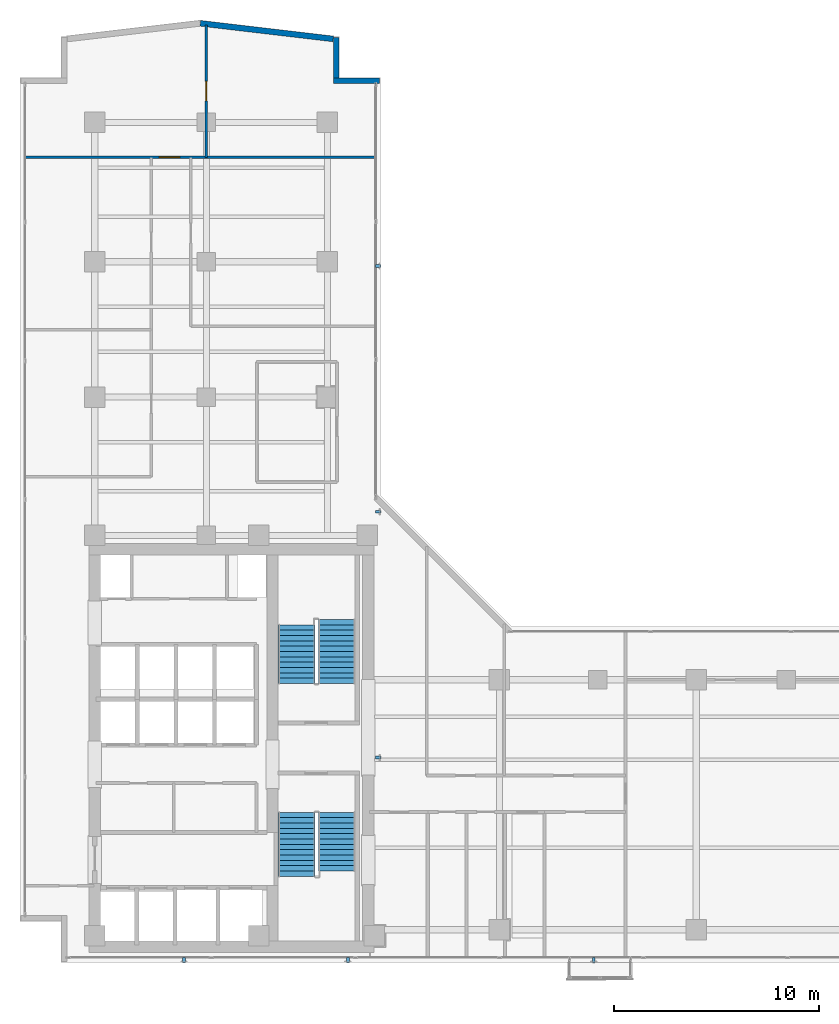
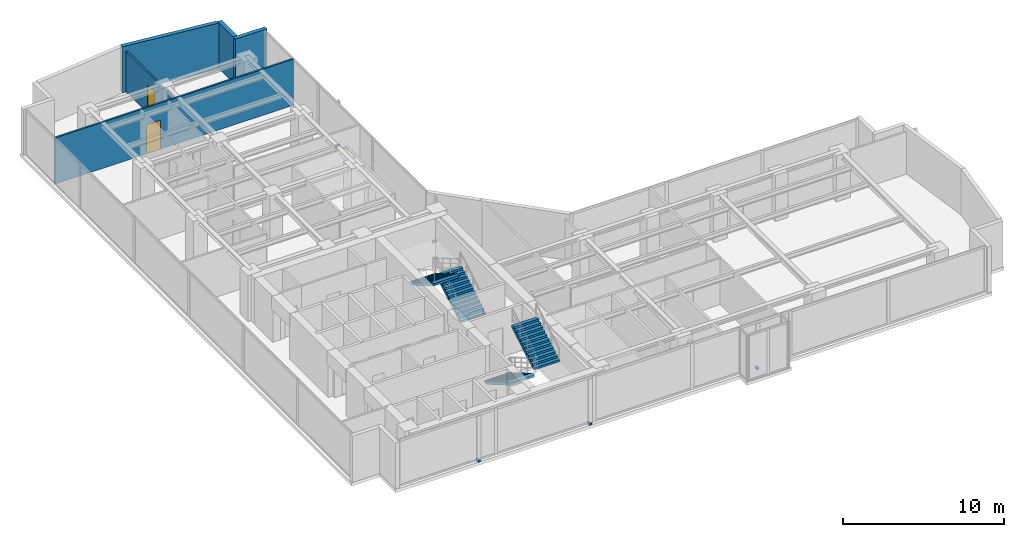
# One storey, part 19 of 22: 6 discrete accessories, 5 walls, 4 stair flights, 2 doors, 2 openings, 2 elements without a shape of their own.
"""IFC4 building model written with IfcOpenShell, lengths in metres."""

from ifc_helpers import new_model, si_unit, direction, frame, frame_2d, origin, origin_with_axes, origin_2d, place, context, subcontext, project, spatial, polyline, rectangle, outline, extrude, source, transform, mapped, material, layer, layer_set, type_object, element, fill, aggregate, save


model = new_model("IFC4")

# Units and contexts
model_context = context("Model", 3, precision=1e-05, world=origin(), true_north=direction((0.0, 1.0)))
body_context = subcontext(model_context, "Body", "Model", "MODEL_VIEW")
ifc_project = project(units=[si_unit("LENGTHUNIT", "METRE"), si_unit("AREAUNIT", "SQUARE_METRE"), si_unit("VOLUMEUNIT", "CUBIC_METRE"), si_unit("PLANEANGLEUNIT", "RADIAN"), si_unit("MASSUNIT", "GRAM", prefix="KILO")], contexts=[model_context])

# Site, building, storey
site_placement = place(None, origin())
site = spatial("IfcSite", under=ifc_project, at=site_placement, CompositionType="ELEMENT")
building_placement = place(site_placement, origin())
building = spatial("IfcBuilding", under=site, at=building_placement, Name="Kolvaren Waterfront Exchange", CompositionType="ELEMENT")
storey_placement = place(building_placement, frame((0.0, 0.0, 219.699951171875)))
storey = spatial("IfcBuildingStorey", under=building, at=storey_placement, Name="L56", CompositionType="ELEMENT", Elevation=219.699951171875)

# Walls
ifc_material_1 = material(Name="Precast concrete C40/50", Category="concrete")
ifc_layer_1 = layer(ifc_material_1, 0.280029296875, Name="Precast concrete C40/50")
ifc_layer_set_1 = layer_set([ifc_layer_1], Name="Precast concrete C40/50")
wall_type_1 = type_object("IfcWallType", Name="ARC-EXT-TERR-280", PredefinedType="SOLIDWALL", material=ifc_layer_set_1)
wall_1_placement = place(storey_placement, frame((19.10009765625, 46.639892578125, 0.0), z_axis=(0.0, 0.0, 1.0), x_axis=(1.0, 0.0, 0.0)))
element("IfcWall", 1, at=wall_1_placement, inside=storey, type_object=wall_type_1, Name="L56 notched corner spandrel pier NNE-A", PredefinedType="SOLIDWALL", context=body_context, shape_type="SweptSolid", body=[
    extrude(rectangle(XDim=2.239990234375, YDim=0.280029296875, at=frame_2d((1.1201171875, 0.0))), origin(), (0.0, 0.0, 1.0), 3.5),
])
wall_2_placement = place(storey_placement, frame((19.239990234375, 46.780029296875, 0.0), z_axis=(0.0, 0.0, 1.0), x_axis=(0.0, 1.0, 0.0)))
element("IfcWall", 2, at=wall_2_placement, inside=storey, type_object=wall_type_1, Name="L56 notched corner spandrel pier NNE-B", PredefinedType="SOLIDWALL", context=body_context, shape_type="SweptSolid", body=[
    extrude(rectangle(XDim=1.9599609375, YDim=0.280029296875, at=frame_2d((0.97998046875, 0.0))), origin(), (0.0, 0.0, 1.0), 3.5),
])
wall_3_placement = place(storey_placement, frame((19.08349609375, 48.676025390625, 0.0), z_axis=(0.0, 0.0, 1.0), x_axis=(-0.993149072278, 0.11685426921, 0.0)))
element("IfcWall", 3, at=wall_3_placement, inside=storey, type_object=wall_type_1, Name="L56 north prow faceted facade wall 1", PredefinedType="SOLIDWALL", context=body_context, shape_type="SweptSolid", body=[
    extrude(rectangle(XDim=6.52685546875, YDim=0.280029296875, at=frame_2d((3.263427734375, 0.0))), origin(), (0.0, 0.0, 1.0), 3.5),
])

# Wall, opening, door
ifc_material_2 = material(Name="Acoustic gypsum steel stud", Category="steel")
ifc_layer_2 = layer(ifc_material_2, 0.125, Name="Acoustic gypsum steel stud")
ifc_layer_set_2 = layer_set([ifc_layer_2], Name="Acoustic gypsum steel stud")
wall_type_2 = type_object("IfcWallType", Name="ARC-PART-125", PredefinedType="PARTITIONING", material=ifc_layer_set_2)
wall_4_placement = place(storey_placement, frame((4.0400390625, 42.89990234375, 0.0), z_axis=(0.0, 0.0, 1.0), x_axis=(1.0, 0.0, 0.0)))
wall_4 = element("IfcWall", 4, at=wall_4_placement, inside=storey, type_object=wall_type_2, Name="L56 interior wall PW-L56-NTIP-S", PredefinedType="PARTITIONING", context=body_context, shape_type="SweptSolid", body=[
    extrude(rectangle(XDim=17.119873046875, YDim=0.125, at=frame_2d((8.56005859375, 0.0))), origin(), (0.0, 0.0, 1.0), 3.5),
])
opening_1_placement = place(wall_4_placement, frame((6.56005859375, 0.0, 0.0)))
opening_1 = element("IfcOpeningElement", 5, at=opening_1_placement, cuts=wall_4, Name="Opening D03", PredefinedType="OPENING", context=body_context, shape_type="SweptSolid", body=[
    extrude(rectangle(XDim=1.0, YDim=2.199951171875, at=frame_2d((0.5, 1.10009765625))), frame((0.0, 0.072509765625, 0.0), z_axis=(0.0, -1.0, 0.0), x_axis=(1.0, 0.0, 0.0)), (0.0, 0.0, 1.0), 0.14501953125),
])
ifc_material_3 = material(Name="Oak veneer accessible timber", Category="wood")
door_type_1 = type_object("IfcDoorType", Name="ARC-DR-1000", OperationType="NOTDEFINED", PredefinedType="DOOR", material=ifc_material_3)
door_1_placement = place(opening_1_placement, origin())
door_1 = element("IfcDoor", 6, at=door_1_placement, inside=storey, type_object=door_type_1, Name="L56 door DR-L56-NTIPW-D (D03)", OperationType="SINGLE_SWING_LEFT", OverallHeight=2.199951171875, OverallWidth=1.0, PredefinedType="DOOR", context=body_context, shape_type="SweptSolid", body=[
    extrude(rectangle(XDim=1.0, YDim=2.199951171875, at=frame_2d((0.5, 1.10009765625))), frame((0.0, 0.02490234375, 0.0), z_axis=(0.0, -1.0, 0.0), x_axis=(1.0, 0.0, 0.0)), (0.0, 0.0, 1.0), 0.050048828125),
])
fill(opening_1, door_1)

wall_5_placement = place(storey_placement, frame((12.89990234375, 42.89990234375, 0.0), z_axis=(0.0, 0.0, 1.0), x_axis=(0.0, 1.0, 0.0)))
wall_5 = element("IfcWall", 7, at=wall_5_placement, inside=storey, type_object=wall_type_2, Name="L56 interior wall PW-L56-NTIP-DIV", PredefinedType="PARTITIONING", context=body_context, shape_type="SweptSolid", body=[
    extrude(rectangle(XDim=6.460205078125, YDim=0.125, at=frame_2d((3.22998046875, 0.0))), origin(), (0.0, 0.0, 1.0), 3.10009765625),
])
opening_2_placement = place(wall_5_placement, frame((2.75, 0.0, 0.0)))
opening_2 = element("IfcOpeningElement", 8, at=opening_2_placement, cuts=wall_5, Name="Opening D02", PredefinedType="OPENING", context=body_context, shape_type="SweptSolid", body=[
    extrude(rectangle(XDim=0.949951171875, YDim=2.14990234375, at=frame_2d((0.47509765625, 1.074951171875))), frame((0.0, 0.072509765625, 0.0), z_axis=(0.0, -1.0, 0.0), x_axis=(1.0, 0.0, 0.0)), (0.0, 0.0, 1.0), 0.14501953125),
])
ifc_material_4 = material(Name="Oak veneer acoustic timber", Category="wood")
door_type_2 = type_object("IfcDoorType", Name="ARC-DR-950", OperationType="NOTDEFINED", PredefinedType="DOOR", material=ifc_material_4)
door_2_placement = place(opening_2_placement, origin())
door_2 = element("IfcDoor", 9, at=door_2_placement, inside=storey, type_object=door_type_2, Name="L56 door DR-L56-NTIPE-D (D02)", OperationType="SINGLE_SWING_RIGHT", OverallHeight=2.14990234375, OverallWidth=0.949951171875, PredefinedType="DOOR", context=body_context, shape_type="SweptSolid", body=[
    extrude(rectangle(XDim=0.949951171875, YDim=2.14990234375, at=frame_2d((0.47509765625, 1.074951171875))), frame((0.0, 0.02490234375, 0.0), z_axis=(0.0, -1.0, 0.0), x_axis=(1.0, 0.0, 0.0)), (0.0, 0.0, 1.0), 0.050048828125),
])
fill(opening_2, door_2)

# Stair, stair flights
ifc_material_5 = material(Name="Concrete C40/50", Category="concrete")
stair_type = type_object("IfcStairType", Name="ARC-STAIR-3800", PredefinedType="HALF_TURN_STAIR", material=ifc_material_5)
stair_1_placement = place(storey_placement, origin())
stair_1 = element("IfcStair", 10, at=stair_1_placement, inside=storey, type_object=stair_type, Name="L56 Smoke-proof exit stair ST1", PredefinedType="HALF_TURN_STAIR")
stair_flight_type = type_object("IfcStairFlightType", Name="ARC-FLIGHT-3800", PredefinedType="STRAIGHT", material=ifc_material_5)
stair_flight_1_placement = place(storey_placement, frame((17.300048828125, 10.929931640625, 0.0), z_axis=(0.0, 0.0, 1.0), x_axis=(0.0, -1.0, 0.0)))
stair_flight_1 = element("IfcStairFlight", 11, at=stair_flight_1_placement, type_object=stair_flight_type, Name="ST1 flight 1", NumberOfRisers=13, NumberOfTreads=12, PredefinedType="STRAIGHT", RiserHeight=0.152, TreadLength=0.26, context=body_context, shape_type="SweptSolid", body=[
    extrude(outline(polyline([(0.0, 0.0), (0.0, 0.152099609375), (0.260009765625, 0.152099609375), (0.260009765625, 0.303955078125), (0.52001953125, 0.303955078125), (0.52001953125, 0.4560546875), (0.780029296875, 0.4560546875), (0.780029296875, 0.60791015625), (1.0400390625, 0.60791015625), (1.0400390625, 0.760009765625), (1.300048828125, 0.760009765625), (1.300048828125, 0.912109375), (1.56005859375, 0.912109375), (1.56005859375, 1.06396484375), (1.820068359375, 1.06396484375), (1.820068359375, 1.216064453125), (2.080078125, 1.216064453125), (2.080078125, 1.367919921875), (2.340087890625, 1.367919921875), (2.340087890625, 1.52001953125), (2.60009765625, 1.52001953125), (2.60009765625, 1.672119140625), (2.860107421875, 1.672119140625), (2.860107421875, 1.823974609375), (3.1201171875, 1.823974609375), (3.1201171875, 1.97607421875), (3.1201171875, 1.650390625), (0.297119140625, 0.0), (0.0, 0.0)])), frame((0.0, 0.89990234375, 0.0), z_axis=(0.0, -1.0, 0.0), x_axis=(1.0, 0.0, 0.0)), (0.0, 0.0, 1.0), 1.800048828125),
])
stair_flight_2_placement = place(storey_placement, frame((19.260009765625, 8.070068359375, 1.97607421875), z_axis=(0.0, 0.0, 1.0), x_axis=(0.0, 1.0, 0.0)))
stair_flight_2 = element("IfcStairFlight", 12, at=stair_flight_2_placement, type_object=stair_flight_type, Name="ST1 flight 2", NumberOfRisers=12, NumberOfTreads=11, PredefinedType="STRAIGHT", RiserHeight=0.152, TreadLength=0.26, context=body_context, shape_type="SweptSolid", body=[
    extrude(outline(polyline([(0.0, 0.0), (0.0, 0.152099609375), (0.260009765625, 0.152099609375), (0.260009765625, 0.303955078125), (0.52001953125, 0.303955078125), (0.52001953125, 0.4560546875), (0.780029296875, 0.4560546875), (0.780029296875, 0.60791015625), (1.0400390625, 0.60791015625), (1.0400390625, 0.760009765625), (1.300048828125, 0.760009765625), (1.300048828125, 0.912109375), (1.56005859375, 0.912109375), (1.56005859375, 1.06396484375), (1.820068359375, 1.06396484375), (1.820068359375, 1.216064453125), (2.080078125, 1.216064453125), (2.080078125, 1.367919921875), (2.340087890625, 1.367919921875), (2.340087890625, 1.52001953125), (2.60009765625, 1.52001953125), (2.60009765625, 1.672119140625), (2.860107421875, 1.672119140625), (2.860107421875, 1.823974609375), (2.860107421875, 1.498291015625), (0.297119140625, 0.0), (0.0, 0.0)])), frame((0.0, 0.89990234375, 0.0), z_axis=(0.0, -1.0, 0.0), x_axis=(1.0, 0.0, 0.0)), (0.0, 0.0, 1.0), 1.800048828125),
])
aggregate(stair_1, [stair_flight_1, stair_flight_2])

stair_2_placement = place(storey_placement, origin())
stair_2 = element("IfcStair", 13, at=stair_2_placement, inside=storey, type_object=stair_type, Name="L56 Smoke-proof exit stair ST2", PredefinedType="HALF_TURN_STAIR")
stair_flight_3_placement = place(storey_placement, frame((19.260009765625, 17.219970703125, 0.0), z_axis=(0.0, 0.0, 1.0), x_axis=(0.0, 1.0, 0.0)))
stair_flight_3 = element("IfcStairFlight", 14, at=stair_flight_3_placement, type_object=stair_flight_type, Name="ST2 flight 1", NumberOfRisers=13, NumberOfTreads=12, PredefinedType="STRAIGHT", RiserHeight=0.152, TreadLength=0.26, context=body_context, shape_type="SweptSolid", body=[
    extrude(outline(polyline([(0.0, 0.0), (0.0, 0.152099609375), (0.260009765625, 0.152099609375), (0.260009765625, 0.303955078125), (0.52001953125, 0.303955078125), (0.52001953125, 0.4560546875), (0.780029296875, 0.4560546875), (0.780029296875, 0.60791015625), (1.0400390625, 0.60791015625), (1.0400390625, 0.760009765625), (1.300048828125, 0.760009765625), (1.300048828125, 0.912109375), (1.56005859375, 0.912109375), (1.56005859375, 1.06396484375), (1.820068359375, 1.06396484375), (1.820068359375, 1.216064453125), (2.080078125, 1.216064453125), (2.080078125, 1.367919921875), (2.340087890625, 1.367919921875), (2.340087890625, 1.52001953125), (2.60009765625, 1.52001953125), (2.60009765625, 1.672119140625), (2.860107421875, 1.672119140625), (2.860107421875, 1.823974609375), (3.1201171875, 1.823974609375), (3.1201171875, 1.97607421875), (3.1201171875, 1.650390625), (0.297119140625, 0.0), (0.0, 0.0)])), frame((0.0, 0.89990234375, 0.0), z_axis=(0.0, -1.0, 0.0), x_axis=(1.0, 0.0, 0.0)), (0.0, 0.0, 1.0), 1.800048828125),
])
stair_flight_4_placement = place(storey_placement, frame((17.300048828125, 20.080078125, 1.97607421875), z_axis=(0.0, 0.0, 1.0), x_axis=(0.0, -1.0, 0.0)))
stair_flight_4 = element("IfcStairFlight", 15, at=stair_flight_4_placement, type_object=stair_flight_type, Name="ST2 flight 2", NumberOfRisers=12, NumberOfTreads=11, PredefinedType="STRAIGHT", RiserHeight=0.152, TreadLength=0.26, context=body_context, shape_type="SweptSolid", body=[
    extrude(outline(polyline([(0.0, 0.0), (0.0, 0.152099609375), (0.260009765625, 0.152099609375), (0.260009765625, 0.303955078125), (0.52001953125, 0.303955078125), (0.52001953125, 0.4560546875), (0.780029296875, 0.4560546875), (0.780029296875, 0.60791015625), (1.0400390625, 0.60791015625), (1.0400390625, 0.760009765625), (1.300048828125, 0.760009765625), (1.300048828125, 0.912109375), (1.56005859375, 0.912109375), (1.56005859375, 1.06396484375), (1.820068359375, 1.06396484375), (1.820068359375, 1.216064453125), (2.080078125, 1.216064453125), (2.080078125, 1.367919921875), (2.340087890625, 1.367919921875), (2.340087890625, 1.52001953125), (2.60009765625, 1.52001953125), (2.60009765625, 1.672119140625), (2.860107421875, 1.672119140625), (2.860107421875, 1.823974609375), (2.860107421875, 1.498291015625), (0.297119140625, 0.0), (0.0, 0.0)])), frame((0.0, 0.89990234375, 0.0), z_axis=(0.0, -1.0, 0.0), x_axis=(1.0, 0.0, 0.0)), (0.0, 0.0, 1.0), 1.800048828125),
])
aggregate(stair_2, [stair_flight_3, stair_flight_4])

# Discrete accessories
ifc_material_6 = material(Name="Stainless steel 316", Category="steel")
discrete_accessory_type = type_object("IfcDiscreteAccessoryType", Name="ARC-BRK-FIN", PredefinedType="BRACKET", material=ifc_material_6)
shared_shape = source(origin_with_axes(), body_context, "Body", "SweptSolid", [
    extrude(rectangle(XDim=0.280029296875, YDim=0.139892578125, at=origin_2d()), origin(), (0.0, 0.0, 1.0), 0.159912109375),
])
for number, where, z_axis, x_axis, name in (
    (16, (11.800048828125, 3.719970703125, 0.0), (0.0, 0.0, 1.0), (0.0, -1.0, 0.0), "L56 bronze fin anchor bracket FIN-L56-S1"),
    (17, (19.800048828125, 3.719970703125, 0.0), (0.0, 0.0, 1.0), (0.0, -1.0, 0.0), "L56 bronze fin anchor bracket FIN-L56-S2"),
    (18, (31.800048828125, 3.719970703125, 0.0), (0.0, 0.0, 1.0), (0.0, -1.0, 0.0), "L56 bronze fin anchor bracket FIN-L56-S3"),
    (19, (21.280029296875, 13.60009765625, 0.0), (0.0, 0.0, 1.0), (1.0, 0.0, 0.0), "L56 bronze fin anchor bracket FIN-L56-E1"),
    (20, (21.280029296875, 25.60009765625, 0.0), (0.0, 0.0, 1.0), (1.0, 0.0, 0.0), "L56 bronze fin anchor bracket FIN-L56-E2"),
    (21, (21.280029296875, 37.60009765625, 0.0), (0.0, 0.0, 1.0), (1.0, 0.0, 0.0), "L56 bronze fin anchor bracket FIN-L56-E3"),
):
    element("IfcDiscreteAccessory", number, at=place(storey_placement, frame(where, z_axis=z_axis, x_axis=x_axis)), inside=storey, type_object=discrete_accessory_type, Name=name, PredefinedType="BRACKET", context=body_context, shape_type="MappedRepresentation", body=[
        mapped(shared_shape, transform((0.0, 0.0, 0.0), x_axis=(1.0, 0.0, 0.0), y_axis=(0.0, 1.0, 0.0), z_axis=(0.0, 0.0, 1.0), scale=1.0)),
    ])

save(model, "model.ifc")
